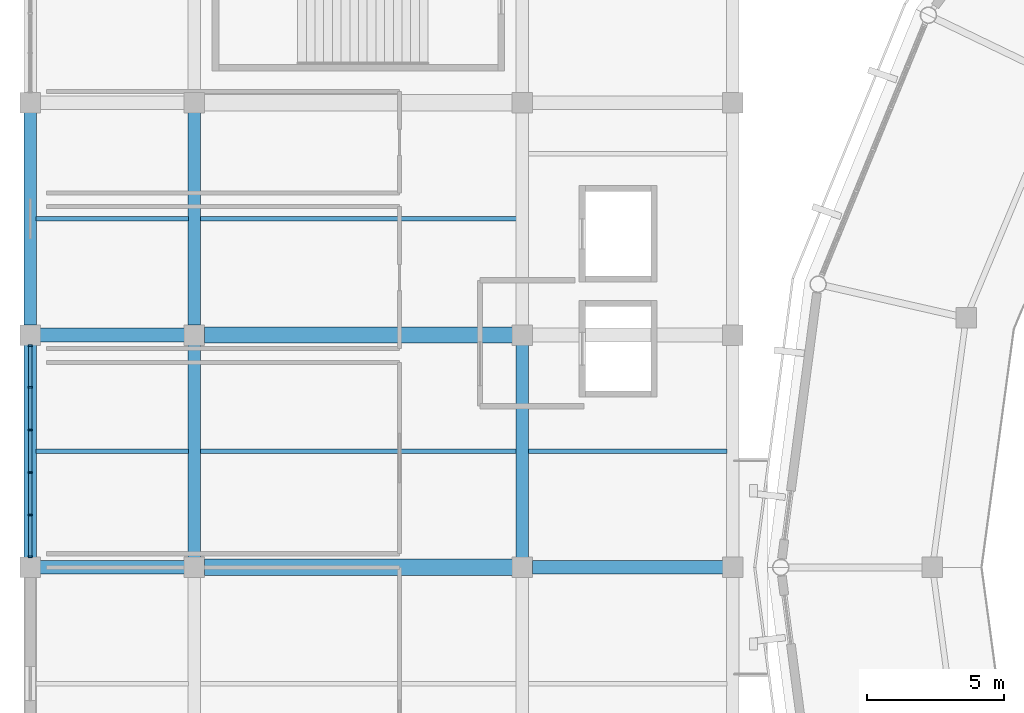
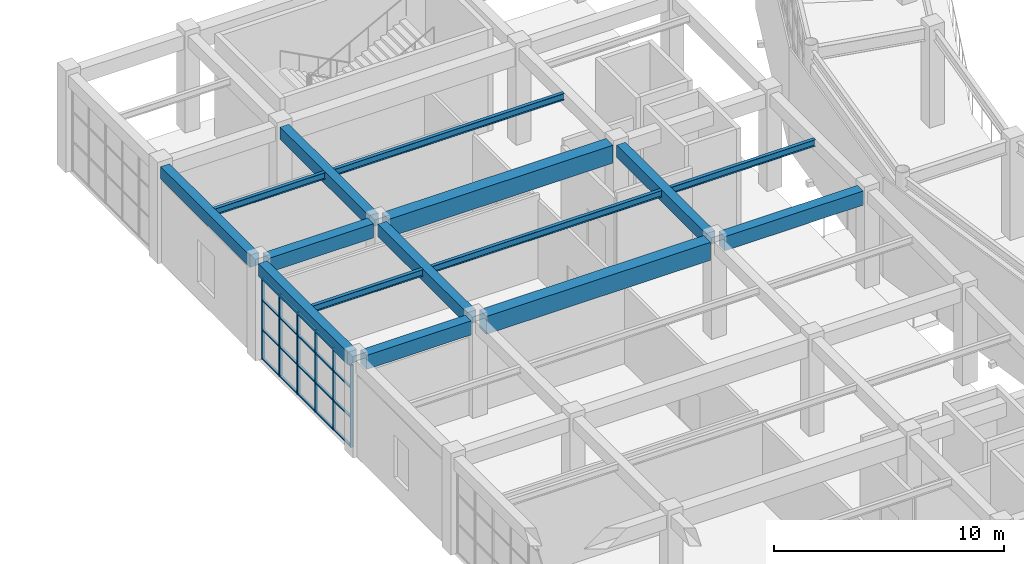
# One storey, part 24 of 70: 26 members, 15 beams, 1 element without a shape of its own.
"""IFC4 building model written with IfcOpenShell, lengths in metres."""

import ifcopenshell
import ifcopenshell.guid

model = None  # the IFC model being written
_history = None  # IfcOwnerHistory: only IFC2X3 demands one
_inside = {}  # id of a spatial element -> (the spatial element, [elements in it])
_under = {}  # id of a project, library or spatial element -> (it, [spatial elements below it])
_declared = {}  # id of a project -> (the project, [libraries it declares])
_typed = {}  # id of a type object -> (the type object, [elements of that type])
_made_of = {}  # id of a material, layer set ... -> (it, [elements and type objects made of it])


def new_model(schema):
    """Start an empty IFC model of exactly this schema.

    Asked for "IFC4X3", IfcOpenShell would pick the latest addendum, in which some entities
    have other attributes; the version numbers below select the first issue.
    IFC2X3 requires an IfcOwnerHistory on every rooted entity: one is made here for all.
    """
    global model, _history
    if schema == "IFC4X3":
        model = ifcopenshell.file(schema_version=(4, 3, 0, 0))
    else:
        model = ifcopenshell.file(schema=schema)
    _inside.clear()
    _under.clear()
    _declared.clear()
    _typed.clear()
    _made_of.clear()
    _history = None
    if model.schema == "IFC2X3":
        org = make("IfcOrganization", Name="unknown")
        user = make(
            "IfcPersonAndOrganization",
            ThePerson=make("IfcPerson", FamilyName="unknown"),
            TheOrganization=org,
        )
        app = make(
            "IfcApplication",
            ApplicationDeveloper=org,
            Version="unknown",
            ApplicationFullName="unknown",
            ApplicationIdentifier="unknown",
        )
        _history = make(
            "IfcOwnerHistory",
            OwningUser=user,
            OwningApplication=app,
            ChangeAction="ADDED",
            CreationDate=0,
        )
    return model


def make(cls, **values):
    """One entity of the class cls with the attributes given. An attribute that is None is left unset."""
    return model.create_entity(
        cls, **{name: value for name, value in values.items() if value is not None}
    )


def rooted(cls, **values):
    """An entity with a GlobalId (a new one), such as an element, a storey or a relation."""
    return make(cls, GlobalId=ifcopenshell.guid.new(), OwnerHistory=_history, **values)


def si_unit(unit_type, name, prefix=None):
    """IfcSIUnit, for example si_unit("LENGTHUNIT", "METRE", prefix="MILLI")."""
    return make("IfcSIUnit", UnitType=unit_type, Prefix=prefix, Name=name)


def assignment(units):
    """IfcUnitAssignment: the units of a project."""
    return None if units is None else make("IfcUnitAssignment", Units=units)


def point(xyz):
    """IfcCartesianPoint."""
    return None if xyz is None else make("IfcCartesianPoint", Coordinates=xyz)


def direction(xyz):
    """IfcDirection."""
    return None if xyz is None else make("IfcDirection", DirectionRatios=xyz)


def frame(location, z_axis=None, x_axis=None):
    """IfcAxis2Placement3D, a coordinate frame: its origin and axes. An axis left out is left unset."""
    return make(
        "IfcAxis2Placement3D",
        Location=point(location),
        Axis=direction(z_axis),
        RefDirection=direction(x_axis),
    )


def frame_2d(location, x_axis=None):
    """IfcAxis2Placement2D, a coordinate frame in the plane: its origin and x axis."""
    return make(
        "IfcAxis2Placement2D", Location=point(location), RefDirection=direction(x_axis)
    )


def origin():
    """The frame at (0, 0, 0) with its axes left unset."""
    return frame((0.0, 0.0, 0.0))


def origin_2d():
    """The frame at (0, 0) in the plane with its x axis left unset."""
    return frame_2d((0.0, 0.0))


def place(relative_to, where):
    """IfcLocalPlacement: puts the frame where relative to a parent placement (None: the world)."""
    return make(
        "IfcLocalPlacement", PlacementRelTo=relative_to, RelativePlacement=where
    )


def context(
    kind, dimensions, precision=None, world=None, true_north=None, identifier=None
):
    """IfcGeometricRepresentationContext, for example the 3D "Model" context."""
    return make(
        "IfcGeometricRepresentationContext",
        ContextIdentifier=identifier,
        ContextType=kind,
        CoordinateSpaceDimension=dimensions,
        Precision=precision,
        WorldCoordinateSystem=world,
        TrueNorth=true_north,
    )


def subcontext(parent, identifier, kind, view, scale=None):
    """IfcGeometricRepresentationSubContext, for example "Body" below "Model"."""
    return make(
        "IfcGeometricRepresentationSubContext",
        ContextIdentifier=identifier,
        ContextType=kind,
        ParentContext=parent,
        TargetScale=scale,
        TargetView=view,
    )


def project(units=None, contexts=None):
    """IfcProject with its units and contexts."""
    return rooted(
        "IfcProject",
        Name="project",
        RepresentationContexts=contexts,
        UnitsInContext=assignment(units),
    )


def spatial(cls, under=None, at=None, **own):
    """A site, building, storey or space (cls), placed at a placement, below another one or the project."""
    s = rooted(cls, ObjectPlacement=at, **own)
    if under is not None:
        _under.setdefault(under.id(), (under, []))[1].append(s)
    return s


def profile(cls, at=None, kind="AREA", **sizes):
    """A parametric profile (cls). Its sizes go by their IFC names, for example OverallWidth=200.0."""
    return make(cls, ProfileType=kind, Position=at, **sizes)


def rectangle(**sizes):
    """IfcRectangleProfileDef."""
    return profile("IfcRectangleProfileDef", **sizes)


def i_section(**sizes):
    """IfcIShapeProfileDef."""
    return profile("IfcIShapeProfileDef", **sizes)


def extrude(swept, where, along, depth):
    """IfcExtrudedAreaSolid: the profile swept, set in the frame where, extruded along a direction by depth."""
    return make(
        "IfcExtrudedAreaSolid",
        SweptArea=swept,
        Position=where,
        ExtrudedDirection=direction(along),
        Depth=depth,
    )


def shape(context_of_items, identifier, shape_type, items):
    """IfcShapeRepresentation: the items that make up one representation, for example the "Body"."""
    return make(
        "IfcShapeRepresentation",
        ContextOfItems=context_of_items,
        RepresentationIdentifier=identifier,
        RepresentationType=shape_type,
        Items=items,
    )


def material(Name=None, Category=None):
    """IfcMaterial."""
    return make("IfcMaterial", Name=Name, Category=Category)


def material_profile(
    of_material, cross_section, Name=None, Category=None, Priority=None
):
    """IfcMaterialProfile: a cross section and its material."""
    return make(
        "IfcMaterialProfile",
        Name=Name,
        Material=of_material,
        Profile=cross_section,
        Priority=Priority,
        Category=Category,
    )


def profile_set(profiles, Name=None, composite=None):
    """IfcMaterialProfileSet."""
    return make(
        "IfcMaterialProfileSet",
        Name=Name,
        MaterialProfiles=profiles,
        CompositeProfile=composite,
    )


def made_of(thing, what):
    """Note that an element or type object is made of a material, layer set ...; save() writes the relation."""
    if what is not None:
        _made_of.setdefault(what.id(), (what, []))[1].append(thing)
    return thing


def type_object(cls, material=None, **own):
    """A type object (cls), such as IfcWallType, which elements share."""
    return made_of(rooted(cls, **own), material)


def element(
    cls,
    number,
    at=None,
    inside=None,
    cuts=None,
    type_object=None,
    material=None,
    context=None,
    identifier="Body",
    shape_type=None,
    held_by="IfcProductDefinitionShape",
    body=None,
    shapes=None,
    **own,
):
    """One element of the class cls, such as IfcWall. Its Tag is "e" and its number.

    at: its placement. inside: the storey or other place that contains it. cuts: it is an
    opening in that element (IfcRelVoidsElement). A single representation is given by context,
    identifier, shape_type and body (its items); several are given by shapes. held_by: the class
    of the entity that holds the representations. save() writes the other relations.
    """
    e = rooted(cls, Tag="e%d" % number, ObjectPlacement=at, **own)
    if body is not None:
        shapes = [shape(context, identifier, shape_type, body)]
    if shapes is not None:
        e.Representation = make(held_by, Representations=shapes)
    if inside is not None:
        _inside.setdefault(inside.id(), (inside, []))[1].append(e)
    if cuts is not None:
        rooted(
            "IfcRelVoidsElement", RelatingBuildingElement=cuts, RelatedOpeningElement=e
        )
    if type_object is not None:
        _typed.setdefault(type_object.id(), (type_object, []))[1].append(e)
    return made_of(e, material)


def aggregate(whole, parts):
    """IfcRelAggregates: a whole, such as a stair, and the parts it consists of."""
    return rooted("IfcRelAggregates", RelatingObject=whole, RelatedObjects=parts)


def save(model, path):
    """Write the relations noted so far, then the file.

    IfcRelAggregates (storeys below a building ...), IfcRelContainedInSpatialStructure (elements
    in a storey), IfcRelDefinesByType, IfcRelAssociatesMaterial and IfcRelDeclares: one each for
    every whole, place, type object, material and project.
    """
    for whole, parts in _under.values():
        aggregate(whole, parts)
    for where, things in _inside.values():
        rooted(
            "IfcRelContainedInSpatialStructure",
            RelatedElements=things,
            RelatingStructure=where,
        )
    for kind, things in _typed.values():
        rooted("IfcRelDefinesByType", RelatedObjects=things, RelatingType=kind)
    for what, things in _made_of.values():
        rooted("IfcRelAssociatesMaterial", RelatedObjects=things, RelatingMaterial=what)
    for by, libraries in _declared.values():
        rooted("IfcRelDeclares", RelatingContext=by, RelatedDefinitions=libraries)
    model.write(path)


model = new_model("IFC4")

# Units and contexts
model_context = context("Model", 3, precision=1e-05, world=origin(), true_north=direction((0.0, 1.0)))
body_context = subcontext(model_context, "Body", "Model", "MODEL_VIEW")
ifc_project = project(units=[si_unit("LENGTHUNIT", "METRE"), si_unit("AREAUNIT", "SQUARE_METRE"), si_unit("VOLUMEUNIT", "CUBIC_METRE"), si_unit("PLANEANGLEUNIT", "RADIAN"), si_unit("MASSUNIT", "GRAM", prefix="KILO")], contexts=[model_context])

# Site, building, storey
site_placement = place(None, origin())
site = spatial("IfcSite", under=ifc_project, at=site_placement, CompositionType="ELEMENT")
building_placement = place(site_placement, origin())
building = spatial("IfcBuilding", under=site, at=building_placement, Name="Cuetzalor Civic Arena", CompositionType="ELEMENT")
storey_placement = place(building_placement, frame((0.0, 0.0, 21.0)))
storey = spatial("IfcBuildingStorey", under=building, at=storey_placement, Name="L04", CompositionType="ELEMENT", Elevation=21.0)

# Beams
ifc_material_1 = material(Name="Concrete C40/50", Category="concrete")
ifc_material_profile_1 = material_profile(ifc_material_1, rectangle(XDim=0.5, YDim=0.75, at=origin_2d()), Name="RC 500x750")
ifc_profile_set_1 = profile_set([ifc_material_profile_1], Name="Concrete C40/50")
beam_type_1 = type_object("IfcBeamType", Name="ConcreteFrameBeam_500x750", PredefinedType="BEAM", material=ifc_profile_set_1)
beam_1_placement = place(storey_placement, frame((-81.635009765625, 0.0, 4.7451171875), z_axis=(1.0, 0.0, 0.0), x_axis=(0.0, 1.0, 0.0)))
element("IfcBeam", 1, at=beam_1_placement, inside=storey, type_object=beam_type_1, Name="Frame Girder V4W-L04-X1104", PredefinedType="BEAM", context=body_context, shape_type="SweptSolid", body=[
    extrude(rectangle(XDim=0.5, YDim=0.75, at=origin_2d()), origin(), (0.0, 0.0, 1.0), 5.27001953125),
])
beam_2_placement = place(storey_placement, frame((-63.635009765625, 0.0, 4.7451171875), z_axis=(1.0, 0.0, 0.0), x_axis=(0.0, 1.0, 0.0)))
element("IfcBeam", 2, at=beam_2_placement, inside=storey, type_object=beam_type_1, Name="Frame Girder V4W-L04-X1106", PredefinedType="BEAM", context=body_context, shape_type="SweptSolid", body=[
    extrude(rectangle(XDim=0.5, YDim=0.75, at=origin_2d()), origin(), (0.0, 0.0, 1.0), 6.969970703125),
])
beam_3_placement = place(storey_placement, frame((-81.635009765625, 8.5, 4.7451171875), z_axis=(1.0, 0.0, 0.0), x_axis=(0.0, 1.0, 0.0)))
element("IfcBeam", 3, at=beam_3_placement, inside=storey, type_object=beam_type_1, Name="Frame Girder V4W-L04-X1107", PredefinedType="BEAM", context=body_context, shape_type="SweptSolid", body=[
    extrude(rectangle(XDim=0.5, YDim=0.75, at=origin_2d()), origin(), (0.0, 0.0, 1.0), 5.27001953125),
])
ifc_material_2 = material(Name="Concrete C40/50", Category="concrete")
ifc_material_profile_2 = material_profile(ifc_material_2, rectangle(XDim=0.60009765625, YDim=0.949951171875, at=origin_2d()), Name="RC 600x950")
ifc_profile_set_2 = profile_set([ifc_material_profile_2], Name="Concrete C40/50")
beam_type_2 = type_object("IfcBeamType", Name="ConcreteFrameBeam_600x950", PredefinedType="BEAM", material=ifc_profile_set_2)
for number, where, z_axis, x_axis, name in (
    (4, (-75.635009765625, 0.0, 4.64501953125), (1.0, 0.0, 0.0), (0.0, 1.0, 0.0), "Frame Girder V4W-L04-X1105"),
    (5, (-75.635009765625, 8.5, 4.64501953125), (1.0, 0.0, 0.0), (0.0, 1.0, 0.0), "Frame Girder V4W-L04-X1108"),
):
    element("IfcBeam", number, at=place(storey_placement, frame(where, z_axis=z_axis, x_axis=x_axis)), inside=storey, type_object=beam_type_2, Name=name, PredefinedType="BEAM", context=body_context, shape_type="SweptSolid", body=[
        extrude(rectangle(XDim=0.60009765625, YDim=0.949951171875, at=origin_2d()), origin(), (0.0, 0.0, 1.0), 11.27001953125),
    ])
ifc_material_3 = material(Name="Concrete C40/50", Category="concrete")
ifc_material_profile_3 = material_profile(ifc_material_3, rectangle(XDim=0.449951171875, YDim=0.64990234375, at=origin_2d()), Name="RC 450x650")
ifc_profile_set_3 = profile_set([ifc_material_profile_3], Name="Concrete C40/50")
beam_type_3 = type_object("IfcBeamType", Name="ConcreteTieBeam_450x650", PredefinedType="BEAM", material=ifc_profile_set_3)
for number, where, z_axis, x_axis, name in (
    (6, (-82.0, 0.364990234375, 4.794921875), (0.0, 1.0, 0.0), (-1.0, 0.0, 0.0), "Frame Girder V4W-L04-Y1121"),
    (7, (-82.0, 8.864990234375, 4.794921875), (0.0, 1.0, 0.0), (-1.0, 0.0, 0.0), "Frame Girder V4W-L04-Y1122"),
    (8, (-76.0, 0.364990234375, 4.794921875), (0.0, 1.0, 0.0), (-1.0, 0.0, 0.0), "Frame Girder V4W-L04-Y1129"),
    (9, (-76.0, 8.864990234375, 4.794921875), (0.0, 1.0, 0.0), (-1.0, 0.0, 0.0), "Frame Girder V4W-L04-Y1130"),
    (10, (-64.0, 0.364990234375, 4.794921875), (0.0, 1.0, 0.0), (-1.0, 0.0, 0.0), "Frame Girder V4W-L04-Y1137"),
):
    element("IfcBeam", number, at=place(storey_placement, frame(where, z_axis=z_axis, x_axis=x_axis)), inside=storey, type_object=beam_type_3, Name=name, PredefinedType="BEAM", context=body_context, shape_type="SweptSolid", body=[
        extrude(rectangle(XDim=0.449951171875, YDim=0.64990234375, at=origin_2d()), origin(), (0.0, 0.0, 1.0), 7.77001953125),
    ])

# Curtain wall, members
ifc_material_4 = material(Name="Anodised dark bronze aluminium and low-E solar glass", Category="aluminium")
curtain_wall_type = type_object("IfcCurtainWallType", Name="UnitisedCW_7800x4350", PredefinedType="USERDEFINED", material=ifc_material_4)
curtain_wall_placement = place(storey_placement, origin())
curtain_wall = element("IfcCurtainWall", 11, at=curtain_wall_placement, inside=storey, type_object=curtain_wall_type, Name="V4W Suite Viewing Curtain Wall L04-125", ObjectType="UNITISED CURTAIN WALL", PredefinedType="USERDEFINED")
ifc_material_5 = material(Name="Anodised dark bronze aluminium", Category="aluminium")
ifc_material_profile_4 = material_profile(ifc_material_5, rectangle(XDim=0.06494140625, YDim=0.14990234375, at=origin_2d()), Name="ALU MULLION 65x150")
ifc_profile_set_4 = profile_set([ifc_material_profile_4], Name="Anodised dark bronze aluminium")
member_type_1 = type_object("IfcMemberType", Name="CurtainWallMullion_60x150", PredefinedType="MULLION", material=ifc_profile_set_4)
member_1_placement = place(storey_placement, frame((-82.0, 0.389404296875, 0.0), z_axis=(0.0, 0.0, 1.0), x_axis=(0.0, 1.0, 0.0)))
member_1 = element("IfcMember", 12, at=member_1_placement, type_object=member_type_1, Name="CW-47 mullion 1", PredefinedType="MULLION", context=body_context, shape_type="SweptSolid", body=[
    extrude(rectangle(XDim=0.06494140625, YDim=0.14990234375, at=origin_2d()), origin(), (0.0, 0.0, 1.0), 4.360107421875),
])
member_2_placement = place(storey_placement, frame((-82.0, 1.914306640625, 0.0), z_axis=(0.0, 0.0, 1.0), x_axis=(0.0, 1.0, 0.0)))
member_2 = element("IfcMember", 13, at=member_2_placement, type_object=member_type_1, Name="CW-47 mullion 2", PredefinedType="MULLION", context=body_context, shape_type="SweptSolid", body=[
    extrude(rectangle(XDim=0.06494140625, YDim=0.14990234375, at=origin_2d()), origin(), (0.0, 0.0, 1.0), 4.360107421875),
])
member_3_placement = place(storey_placement, frame((-82.0, 3.471435546875, 0.0), z_axis=(0.0, 0.0, 1.0), x_axis=(0.0, 1.0, 0.0)))
member_3 = element("IfcMember", 14, at=member_3_placement, type_object=member_type_1, Name="CW-47 mullion 3", PredefinedType="MULLION", context=body_context, shape_type="SweptSolid", body=[
    extrude(rectangle(XDim=0.06494140625, YDim=0.14990234375, at=origin_2d()), origin(), (0.0, 0.0, 1.0), 4.360107421875),
])
member_4_placement = place(storey_placement, frame((-82.0, 5.028564453125, 0.0), z_axis=(0.0, 0.0, 1.0), x_axis=(0.0, 1.0, 0.0)))
member_4 = element("IfcMember", 15, at=member_4_placement, type_object=member_type_1, Name="CW-47 mullion 4", PredefinedType="MULLION", context=body_context, shape_type="SweptSolid", body=[
    extrude(rectangle(XDim=0.06494140625, YDim=0.14990234375, at=origin_2d()), origin(), (0.0, 0.0, 1.0), 4.360107421875),
])
member_5_placement = place(storey_placement, frame((-82.0, 6.585693359375, 0.0), z_axis=(0.0, 0.0, 1.0), x_axis=(0.0, 1.0, 0.0)))
member_5 = element("IfcMember", 16, at=member_5_placement, type_object=member_type_1, Name="CW-47 mullion 5", PredefinedType="MULLION", context=body_context, shape_type="SweptSolid", body=[
    extrude(rectangle(XDim=0.06494140625, YDim=0.14990234375, at=origin_2d()), origin(), (0.0, 0.0, 1.0), 4.360107421875),
])
member_6_placement = place(storey_placement, frame((-82.0, 8.110595703125, 0.0), z_axis=(0.0, 0.0, 1.0), x_axis=(0.0, 1.0, 0.0)))
member_6 = element("IfcMember", 17, at=member_6_placement, type_object=member_type_1, Name="CW-47 mullion 6", PredefinedType="MULLION", context=body_context, shape_type="SweptSolid", body=[
    extrude(rectangle(XDim=0.06494140625, YDim=0.14990234375, at=origin_2d()), origin(), (0.0, 0.0, 1.0), 4.360107421875),
])
ifc_material_6 = material(Name="Anodised dark bronze aluminium", Category="aluminium")
ifc_material_profile_5 = material_profile(ifc_material_6, rectangle(XDim=0.1201171875, YDim=0.06494140625, at=origin_2d()), Name="ALU TRANSOM 65x120")
ifc_profile_set_5 = profile_set([ifc_material_profile_5], Name="Anodised dark bronze aluminium")
member_type_2 = type_object("IfcMemberType", Name="CurtainWallTransom_60x120", PredefinedType="USERDEFINED", material=ifc_profile_set_5)
member_7_placement = place(storey_placement, frame((-82.0, 0.422119140625, 0.032470703125), z_axis=(0.0, 1.0, 0.0), x_axis=(-1.0, 0.0, 0.0)))
member_7 = element("IfcMember", 18, at=member_7_placement, type_object=member_type_2, Name="CW-47 transom 1.1", ObjectType="TRANSOM", PredefinedType="USERDEFINED", context=body_context, shape_type="SweptSolid", body=[
    extrude(rectangle(XDim=0.1201171875, YDim=0.06494140625, at=origin_2d()), origin(), (0.0, 0.0, 1.0), 1.45947265625),
])
member_8_placement = place(storey_placement, frame((-82.0, 0.422119140625, 1.570068359375), z_axis=(0.0, 1.0, 0.0), x_axis=(-1.0, 0.0, 0.0)))
member_8 = element("IfcMember", 19, at=member_8_placement, type_object=member_type_2, Name="CW-47 transom 1.2", ObjectType="TRANSOM", PredefinedType="USERDEFINED", context=body_context, shape_type="SweptSolid", body=[
    extrude(rectangle(XDim=0.1201171875, YDim=0.06494140625, at=origin_2d()), origin(), (0.0, 0.0, 1.0), 1.45947265625),
])
member_9_placement = place(storey_placement, frame((-82.0, 0.422119140625, 3.138916015625), z_axis=(0.0, 1.0, 0.0), x_axis=(-1.0, 0.0, 0.0)))
member_9 = element("IfcMember", 20, at=member_9_placement, type_object=member_type_2, Name="CW-47 transom 1.3", ObjectType="TRANSOM", PredefinedType="USERDEFINED", context=body_context, shape_type="SweptSolid", body=[
    extrude(rectangle(XDim=0.1201171875, YDim=0.06494140625, at=origin_2d()), origin(), (0.0, 0.0, 1.0), 1.45947265625),
])
member_10_placement = place(storey_placement, frame((-82.0, 0.422119140625, 4.327392578125), z_axis=(0.0, 1.0, 0.0), x_axis=(-1.0, 0.0, 0.0)))
member_10 = element("IfcMember", 21, at=member_10_placement, type_object=member_type_2, Name="CW-47 transom 1.4", ObjectType="TRANSOM", PredefinedType="USERDEFINED", context=body_context, shape_type="SweptSolid", body=[
    extrude(rectangle(XDim=0.1201171875, YDim=0.06494140625, at=origin_2d()), origin(), (0.0, 0.0, 1.0), 1.45947265625),
])
member_11_placement = place(storey_placement, frame((-82.0, 1.94677734375, 0.032470703125), z_axis=(0.0, 1.0, 0.0), x_axis=(-1.0, 0.0, 0.0)))
member_11 = element("IfcMember", 22, at=member_11_placement, type_object=member_type_2, Name="CW-47 transom 2.1", ObjectType="TRANSOM", PredefinedType="USERDEFINED", context=body_context, shape_type="SweptSolid", body=[
    extrude(rectangle(XDim=0.1201171875, YDim=0.06494140625, at=origin_2d()), origin(), (0.0, 0.0, 1.0), 1.4921875),
])
member_12_placement = place(storey_placement, frame((-82.0, 1.94677734375, 1.570068359375), z_axis=(0.0, 1.0, 0.0), x_axis=(-1.0, 0.0, 0.0)))
member_12 = element("IfcMember", 23, at=member_12_placement, type_object=member_type_2, Name="CW-47 transom 2.2", ObjectType="TRANSOM", PredefinedType="USERDEFINED", context=body_context, shape_type="SweptSolid", body=[
    extrude(rectangle(XDim=0.1201171875, YDim=0.06494140625, at=origin_2d()), origin(), (0.0, 0.0, 1.0), 1.4921875),
])
member_13_placement = place(storey_placement, frame((-82.0, 1.94677734375, 3.138916015625), z_axis=(0.0, 1.0, 0.0), x_axis=(-1.0, 0.0, 0.0)))
member_13 = element("IfcMember", 24, at=member_13_placement, type_object=member_type_2, Name="CW-47 transom 2.3", ObjectType="TRANSOM", PredefinedType="USERDEFINED", context=body_context, shape_type="SweptSolid", body=[
    extrude(rectangle(XDim=0.1201171875, YDim=0.06494140625, at=origin_2d()), origin(), (0.0, 0.0, 1.0), 1.4921875),
])
member_14_placement = place(storey_placement, frame((-82.0, 1.94677734375, 4.327392578125), z_axis=(0.0, 1.0, 0.0), x_axis=(-1.0, 0.0, 0.0)))
member_14 = element("IfcMember", 25, at=member_14_placement, type_object=member_type_2, Name="CW-47 transom 2.4", ObjectType="TRANSOM", PredefinedType="USERDEFINED", context=body_context, shape_type="SweptSolid", body=[
    extrude(rectangle(XDim=0.1201171875, YDim=0.06494140625, at=origin_2d()), origin(), (0.0, 0.0, 1.0), 1.4921875),
])
member_15_placement = place(storey_placement, frame((-82.0, 3.50390625, 0.032470703125), z_axis=(0.0, 1.0, 0.0), x_axis=(-1.0, 0.0, 0.0)))
member_15 = element("IfcMember", 26, at=member_15_placement, type_object=member_type_2, Name="CW-47 transom 3.1", ObjectType="TRANSOM", PredefinedType="USERDEFINED", context=body_context, shape_type="SweptSolid", body=[
    extrude(rectangle(XDim=0.1201171875, YDim=0.06494140625, at=origin_2d()), origin(), (0.0, 0.0, 1.0), 1.4921875),
])
member_16_placement = place(storey_placement, frame((-82.0, 3.50390625, 1.570068359375), z_axis=(0.0, 1.0, 0.0), x_axis=(-1.0, 0.0, 0.0)))
member_16 = element("IfcMember", 27, at=member_16_placement, type_object=member_type_2, Name="CW-47 transom 3.2", ObjectType="TRANSOM", PredefinedType="USERDEFINED", context=body_context, shape_type="SweptSolid", body=[
    extrude(rectangle(XDim=0.1201171875, YDim=0.06494140625, at=origin_2d()), origin(), (0.0, 0.0, 1.0), 1.4921875),
])
member_17_placement = place(storey_placement, frame((-82.0, 3.50390625, 3.138916015625), z_axis=(0.0, 1.0, 0.0), x_axis=(-1.0, 0.0, 0.0)))
member_17 = element("IfcMember", 28, at=member_17_placement, type_object=member_type_2, Name="CW-47 transom 3.3", ObjectType="TRANSOM", PredefinedType="USERDEFINED", context=body_context, shape_type="SweptSolid", body=[
    extrude(rectangle(XDim=0.1201171875, YDim=0.06494140625, at=origin_2d()), origin(), (0.0, 0.0, 1.0), 1.4921875),
])
member_18_placement = place(storey_placement, frame((-82.0, 3.50390625, 4.327392578125), z_axis=(0.0, 1.0, 0.0), x_axis=(-1.0, 0.0, 0.0)))
member_18 = element("IfcMember", 29, at=member_18_placement, type_object=member_type_2, Name="CW-47 transom 3.4", ObjectType="TRANSOM", PredefinedType="USERDEFINED", context=body_context, shape_type="SweptSolid", body=[
    extrude(rectangle(XDim=0.1201171875, YDim=0.06494140625, at=origin_2d()), origin(), (0.0, 0.0, 1.0), 1.4921875),
])
member_19_placement = place(storey_placement, frame((-82.0, 5.06103515625, 0.032470703125), z_axis=(0.0, 1.0, 0.0), x_axis=(-1.0, 0.0, 0.0)))
member_19 = element("IfcMember", 30, at=member_19_placement, type_object=member_type_2, Name="CW-47 transom 4.1", ObjectType="TRANSOM", PredefinedType="USERDEFINED", context=body_context, shape_type="SweptSolid", body=[
    extrude(rectangle(XDim=0.1201171875, YDim=0.06494140625, at=origin_2d()), origin(), (0.0, 0.0, 1.0), 1.4921875),
])
member_20_placement = place(storey_placement, frame((-82.0, 5.06103515625, 1.570068359375), z_axis=(0.0, 1.0, 0.0), x_axis=(-1.0, 0.0, 0.0)))
member_20 = element("IfcMember", 31, at=member_20_placement, type_object=member_type_2, Name="CW-47 transom 4.2", ObjectType="TRANSOM", PredefinedType="USERDEFINED", context=body_context, shape_type="SweptSolid", body=[
    extrude(rectangle(XDim=0.1201171875, YDim=0.06494140625, at=origin_2d()), origin(), (0.0, 0.0, 1.0), 1.4921875),
])
member_21_placement = place(storey_placement, frame((-82.0, 5.06103515625, 3.138916015625), z_axis=(0.0, 1.0, 0.0), x_axis=(-1.0, 0.0, 0.0)))
member_21 = element("IfcMember", 32, at=member_21_placement, type_object=member_type_2, Name="CW-47 transom 4.3", ObjectType="TRANSOM", PredefinedType="USERDEFINED", context=body_context, shape_type="SweptSolid", body=[
    extrude(rectangle(XDim=0.1201171875, YDim=0.06494140625, at=origin_2d()), origin(), (0.0, 0.0, 1.0), 1.4921875),
])
member_22_placement = place(storey_placement, frame((-82.0, 5.06103515625, 4.327392578125), z_axis=(0.0, 1.0, 0.0), x_axis=(-1.0, 0.0, 0.0)))
member_22 = element("IfcMember", 33, at=member_22_placement, type_object=member_type_2, Name="CW-47 transom 4.4", ObjectType="TRANSOM", PredefinedType="USERDEFINED", context=body_context, shape_type="SweptSolid", body=[
    extrude(rectangle(XDim=0.1201171875, YDim=0.06494140625, at=origin_2d()), origin(), (0.0, 0.0, 1.0), 1.4921875),
])
member_23_placement = place(storey_placement, frame((-82.0, 6.618408203125, 0.032470703125), z_axis=(0.0, 1.0, 0.0), x_axis=(-1.0, 0.0, 0.0)))
member_23 = element("IfcMember", 34, at=member_23_placement, type_object=member_type_2, Name="CW-47 transom 5.1", ObjectType="TRANSOM", PredefinedType="USERDEFINED", context=body_context, shape_type="SweptSolid", body=[
    extrude(rectangle(XDim=0.1201171875, YDim=0.06494140625, at=origin_2d()), origin(), (0.0, 0.0, 1.0), 1.45947265625),
])
member_24_placement = place(storey_placement, frame((-82.0, 6.618408203125, 1.570068359375), z_axis=(0.0, 1.0, 0.0), x_axis=(-1.0, 0.0, 0.0)))
member_24 = element("IfcMember", 35, at=member_24_placement, type_object=member_type_2, Name="CW-47 transom 5.2", ObjectType="TRANSOM", PredefinedType="USERDEFINED", context=body_context, shape_type="SweptSolid", body=[
    extrude(rectangle(XDim=0.1201171875, YDim=0.06494140625, at=origin_2d()), origin(), (0.0, 0.0, 1.0), 1.45947265625),
])
member_25_placement = place(storey_placement, frame((-82.0, 6.618408203125, 3.138916015625), z_axis=(0.0, 1.0, 0.0), x_axis=(-1.0, 0.0, 0.0)))
member_25 = element("IfcMember", 36, at=member_25_placement, type_object=member_type_2, Name="CW-47 transom 5.3", ObjectType="TRANSOM", PredefinedType="USERDEFINED", context=body_context, shape_type="SweptSolid", body=[
    extrude(rectangle(XDim=0.1201171875, YDim=0.06494140625, at=origin_2d()), origin(), (0.0, 0.0, 1.0), 1.45947265625),
])
member_26_placement = place(storey_placement, frame((-82.0, 6.618408203125, 4.327392578125), z_axis=(0.0, 1.0, 0.0), x_axis=(-1.0, 0.0, 0.0)))
member_26 = element("IfcMember", 37, at=member_26_placement, type_object=member_type_2, Name="CW-47 transom 5.4", ObjectType="TRANSOM", PredefinedType="USERDEFINED", context=body_context, shape_type="SweptSolid", body=[
    extrude(rectangle(XDim=0.1201171875, YDim=0.06494140625, at=origin_2d()), origin(), (0.0, 0.0, 1.0), 1.45947265625),
])
aggregate(curtain_wall, [member_1, member_2, member_3, member_4, member_5, member_6, member_7, member_8, member_9, member_10, member_11, member_12, member_13, member_14, member_15, member_16, member_17, member_18, member_19, member_20, member_21, member_22, member_23, member_24, member_25, member_26])

# Beams
ifc_material_7 = material(Name="Steel S355", Category="steel")
ifc_material_profile_6 = material_profile(ifc_material_7, i_section(OverallWidth=0.1708984375, OverallDepth=0.35498046875, WebThickness=0.007080078125, FlangeThickness=0.01171875, at=origin_2d()), Name="W360x51")
ifc_profile_set_6 = profile_set([ifc_material_profile_6], Name="Steel S355")
beam_type_4 = type_object("IfcBeamType", Name="SecondaryFloorJoist_W360", PredefinedType="JOIST", material=ifc_profile_set_6)
for number, where, z_axis, x_axis, name in (
    (38, (-81.782958984375, 4.25, 4.9423828125), (1.0, 0.0, 0.0), (0.0, 1.0, 0.0), "Secondary Floor Joist V4W-L04-0341"),
    (39, (-81.782958984375, 12.75, 4.9423828125), (1.0, 0.0, 0.0), (0.0, 1.0, 0.0), "Secondary Floor Joist V4W-L04-0342"),
):
    element("IfcBeam", number, at=place(storey_placement, frame(where, z_axis=z_axis, x_axis=x_axis)), inside=storey, type_object=beam_type_4, Name=name, PredefinedType="JOIST", context=body_context, shape_type="SweptSolid", body=[
        extrude(i_section(OverallWidth=0.1708984375, OverallDepth=0.35498046875, WebThickness=0.007080078125, FlangeThickness=0.01171875, at=origin_2d()), origin(), (0.0, 0.0, 1.0), 5.56591796875),
    ])
for number, where, z_axis, x_axis, name in (
    (40, (-75.782958984375, 4.25, 4.9423828125), (1.0, 0.0, 0.0), (0.0, 1.0, 0.0), "Secondary Floor Joist V4W-L04-0348"),
    (41, (-75.782958984375, 12.75, 4.9423828125), (1.0, 0.0, 0.0), (0.0, 1.0, 0.0), "Secondary Floor Joist V4W-L04-0349"),
):
    element("IfcBeam", number, at=place(storey_placement, frame(where, z_axis=z_axis, x_axis=x_axis)), inside=storey, type_object=beam_type_4, Name=name, PredefinedType="JOIST", context=body_context, shape_type="SweptSolid", body=[
        extrude(i_section(OverallWidth=0.1708984375, OverallDepth=0.35498046875, WebThickness=0.007080078125, FlangeThickness=0.01171875, at=origin_2d()), origin(), (0.0, 0.0, 1.0), 11.56591796875),
    ])
beam_4_placement = place(storey_placement, frame((-63.782958984375, 4.25, 4.9423828125), z_axis=(1.0, 0.0, 0.0), x_axis=(0.0, 1.0, 0.0)))
element("IfcBeam", 42, at=beam_4_placement, inside=storey, type_object=beam_type_4, Name="Secondary Floor Joist V4W-L04-0354", PredefinedType="JOIST", context=body_context, shape_type="SweptSolid", body=[
    extrude(i_section(OverallWidth=0.1708984375, OverallDepth=0.35498046875, WebThickness=0.007080078125, FlangeThickness=0.01171875, at=origin_2d()), origin(), (0.0, 0.0, 1.0), 7.265869140625),
])

save(model, "model.ifc")
